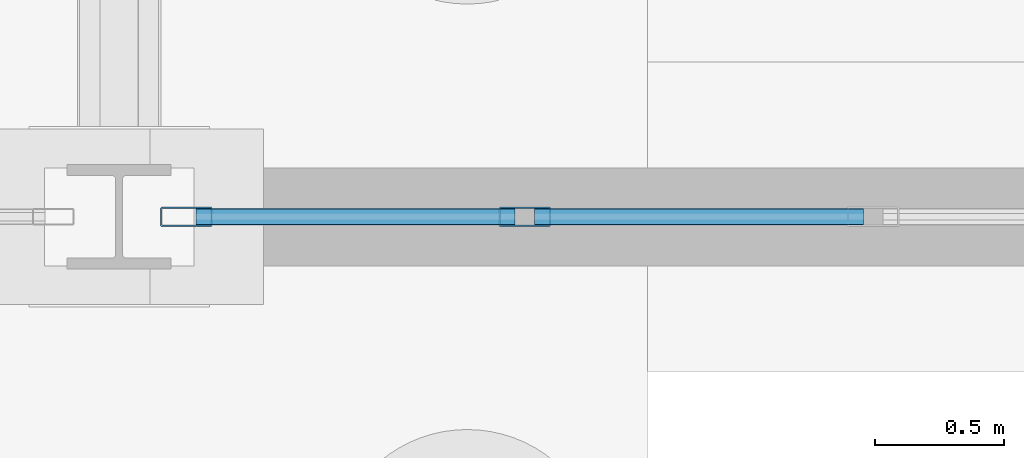
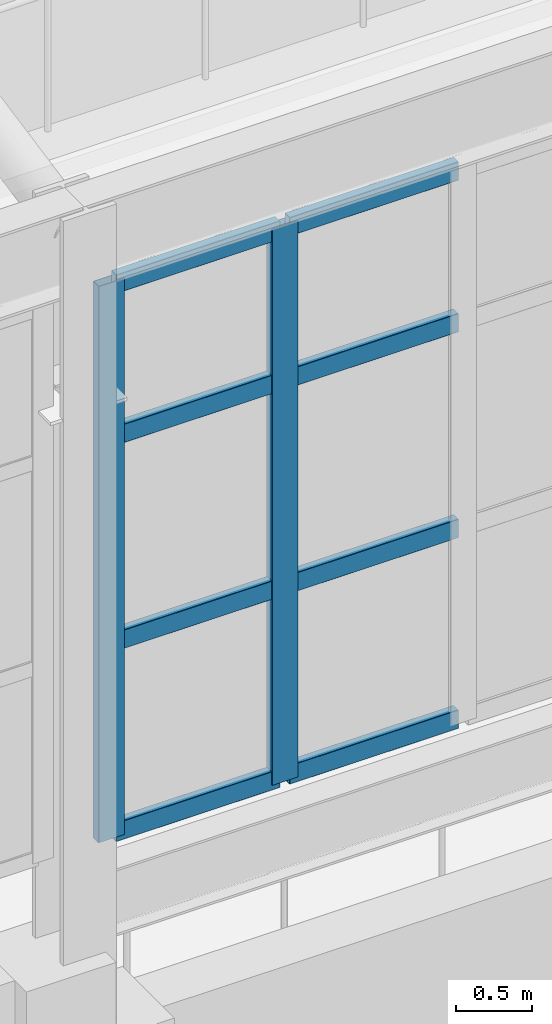
# One storey, part 133 of 293: 10 members, 1 element without a shape of its own.
"""IFC4 building model written with IfcOpenShell, lengths in metres."""

from ifc_helpers import new_model, si_unit, direction, frame, origin, origin_2d, place, context, subcontext, project, spatial, hollow_rectangle, extrude, material, layer, layer_set, material_profile, profile_set, type_object, element, aggregate, save


model = new_model("IFC4")

# Units and contexts
model_context = context("Model", 3, precision=1e-05, world=origin(), true_north=direction((0.0, 1.0)))
body_context = subcontext(model_context, "Body", "Model", "MODEL_VIEW")
ifc_project = project(units=[si_unit("LENGTHUNIT", "METRE"), si_unit("AREAUNIT", "SQUARE_METRE"), si_unit("VOLUMEUNIT", "CUBIC_METRE"), si_unit("PLANEANGLEUNIT", "RADIAN"), si_unit("MASSUNIT", "GRAM", prefix="KILO")], contexts=[model_context])

# Site, building, storey
site_placement = place(None, origin())
site = spatial("IfcSite", under=ifc_project, at=site_placement, CompositionType="ELEMENT")
building_placement = place(site_placement, origin())
building = spatial("IfcBuilding", under=site, at=building_placement, Name="Kemerveld Promenade Tramway Depot", CompositionType="ELEMENT")
storey_placement = place(building_placement, origin())
storey = spatial("IfcBuildingStorey", under=building, at=storey_placement, Name="L00", CompositionType="ELEMENT", Elevation=0.0)

# Curtain wall, members
ifc_material_1 = material(Name="Bronze anodised aluminium and solar glass", Category="aluminium")
ifc_layer = layer(ifc_material_1, 0.199951171875)
ifc_layer_set = layer_set([ifc_layer], Name="CW-SYS-14")
curtain_wall_type = type_object("IfcCurtainWallType", Name="CW-SYS-14", PredefinedType="USERDEFINED", material=ifc_layer_set)
curtain_wall_placement = place(storey_placement, origin())
curtain_wall = element("IfcCurtainWall", 1, at=curtain_wall_placement, inside=storey, type_object=curtain_wall_type, Name="CW-V1-S-11", ObjectType="GLAZED_CURTAIN_WALL", PredefinedType="USERDEFINED")
ifc_material_2 = material(Name="Bronze anodised aluminium", Category="aluminium")
ifc_material_profile_1 = material_profile(ifc_material_2, hollow_rectangle(XDim=0.074951171875, YDim=0.199951171875, WallThickness=0.0048828125, InnerFilletRadius=0.001953125, OuterFilletRadius=0.0048828125, at=origin_2d()), Name="CW-MUL-200x75")
ifc_profile_set_1 = profile_set([ifc_material_profile_1], Name="Bronze anodised aluminium")
member_type_1 = type_object("IfcMemberType", Name="CW-MUL-B", PredefinedType="MULLION", material=ifc_profile_set_1)
member_1_placement = place(storey_placement, frame((109.573974609375, 84.0, 6.199951171875), z_axis=(0.0, 0.0, 1.0), x_axis=(0.0, -1.0, 0.0)))
member_1 = element("IfcMember", 2, at=member_1_placement, type_object=member_type_1, Name="CW14 mullion 5", PredefinedType="MULLION", context=body_context, shape_type="SweptSolid", body=[
    extrude(hollow_rectangle(XDim=0.074951171875, YDim=0.199951171875, WallThickness=0.0048828125, InnerFilletRadius=0.001953125, OuterFilletRadius=0.0048828125, at=origin_2d()), origin(), (0.0, 0.0, 1.0), 4.449951171875),
])
member_2_placement = place(storey_placement, frame((108.2607421875, 84.0, 6.199951171875), z_axis=(0.0, 0.0, 1.0), x_axis=(0.0, -1.0, 0.0)))
member_2 = element("IfcMember", 3, at=member_2_placement, type_object=member_type_1, Name="CW14 mullion 6", PredefinedType="MULLION", context=body_context, shape_type="SweptSolid", body=[
    extrude(hollow_rectangle(XDim=0.074951171875, YDim=0.199951171875, WallThickness=0.0048828125, InnerFilletRadius=0.001953125, OuterFilletRadius=0.0048828125, at=origin_2d()), origin(), (0.0, 0.0, 1.0), 4.449951171875),
])
ifc_material_profile_2 = material_profile(ifc_material_2, hollow_rectangle(XDim=0.06494140625, YDim=0.14990234375, WallThickness=0.00439453125, InnerFilletRadius=0.001953125, OuterFilletRadius=0.00439453125, at=origin_2d()), Name="CW-TRN-150x65")
ifc_profile_set_2 = profile_set([ifc_material_profile_2], Name="Bronze anodised aluminium")
member_type_2 = type_object("IfcMemberType", Name="CW-TRN-B", PredefinedType="USERDEFINED", material=ifc_profile_set_2)
member_3_placement = place(storey_placement, frame((110.88720703125, 84.0, 6.232421875), z_axis=(-1.0, 0.0, 0.0), x_axis=(0.0, -1.0, 0.0)))
member_3 = element("IfcMember", 4, at=member_3_placement, type_object=member_type_2, Name="CW14 transom 4.1", ObjectType="TRANSOM", PredefinedType="USERDEFINED", context=body_context, shape_type="SweptSolid", body=[
    extrude(hollow_rectangle(XDim=0.06494140625, YDim=0.14990234375, WallThickness=0.00439453125, InnerFilletRadius=0.001953125, OuterFilletRadius=0.00439453125, at=origin_2d()), origin(), (0.0, 0.0, 1.0), 1.27587890625),
])
member_4_placement = place(storey_placement, frame((110.88720703125, 84.0, 7.758056640625), z_axis=(-1.0, 0.0, 0.0), x_axis=(0.0, -1.0, 0.0)))
member_4 = element("IfcMember", 5, at=member_4_placement, type_object=member_type_2, Name="CW14 transom 4.2", ObjectType="TRANSOM", PredefinedType="USERDEFINED", context=body_context, shape_type="SweptSolid", body=[
    extrude(hollow_rectangle(XDim=0.06494140625, YDim=0.14990234375, WallThickness=0.00439453125, InnerFilletRadius=0.001953125, OuterFilletRadius=0.00439453125, at=origin_2d()), origin(), (0.0, 0.0, 1.0), 1.27587890625),
])
member_5_placement = place(storey_placement, frame((110.88720703125, 84.0, 9.404052734375), z_axis=(-1.0, 0.0, 0.0), x_axis=(0.0, -1.0, 0.0)))
member_5 = element("IfcMember", 6, at=member_5_placement, type_object=member_type_2, Name="CW14 transom 4.3", ObjectType="TRANSOM", PredefinedType="USERDEFINED", context=body_context, shape_type="SweptSolid", body=[
    extrude(hollow_rectangle(XDim=0.06494140625, YDim=0.14990234375, WallThickness=0.00439453125, InnerFilletRadius=0.001953125, OuterFilletRadius=0.00439453125, at=origin_2d()), origin(), (0.0, 0.0, 1.0), 1.27587890625),
])
member_6_placement = place(storey_placement, frame((110.88720703125, 84.0, 10.617431640625), z_axis=(-1.0, 0.0, 0.0), x_axis=(0.0, -1.0, 0.0)))
member_6 = element("IfcMember", 7, at=member_6_placement, type_object=member_type_2, Name="CW14 transom 4.4", ObjectType="TRANSOM", PredefinedType="USERDEFINED", context=body_context, shape_type="SweptSolid", body=[
    extrude(hollow_rectangle(XDim=0.06494140625, YDim=0.14990234375, WallThickness=0.00439453125, InnerFilletRadius=0.001953125, OuterFilletRadius=0.00439453125, at=origin_2d()), origin(), (0.0, 0.0, 1.0), 1.27587890625),
])
member_7_placement = place(storey_placement, frame((109.536376953125, 84.0, 6.232421875), z_axis=(-1.0, 0.0, 0.0), x_axis=(0.0, -1.0, 0.0)))
member_7 = element("IfcMember", 8, at=member_7_placement, type_object=member_type_2, Name="CW14 transom 5.1", ObjectType="TRANSOM", PredefinedType="USERDEFINED", context=body_context, shape_type="SweptSolid", body=[
    extrude(hollow_rectangle(XDim=0.06494140625, YDim=0.14990234375, WallThickness=0.00439453125, InnerFilletRadius=0.001953125, OuterFilletRadius=0.00439453125, at=origin_2d()), origin(), (0.0, 0.0, 1.0), 1.23828125),
])
member_8_placement = place(storey_placement, frame((109.536376953125, 84.0, 7.758056640625), z_axis=(-1.0, 0.0, 0.0), x_axis=(0.0, -1.0, 0.0)))
member_8 = element("IfcMember", 9, at=member_8_placement, type_object=member_type_2, Name="CW14 transom 5.2", ObjectType="TRANSOM", PredefinedType="USERDEFINED", context=body_context, shape_type="SweptSolid", body=[
    extrude(hollow_rectangle(XDim=0.06494140625, YDim=0.14990234375, WallThickness=0.00439453125, InnerFilletRadius=0.001953125, OuterFilletRadius=0.00439453125, at=origin_2d()), origin(), (0.0, 0.0, 1.0), 1.23828125),
])
member_9_placement = place(storey_placement, frame((109.536376953125, 84.0, 9.404052734375), z_axis=(-1.0, 0.0, 0.0), x_axis=(0.0, -1.0, 0.0)))
member_9 = element("IfcMember", 10, at=member_9_placement, type_object=member_type_2, Name="CW14 transom 5.3", ObjectType="TRANSOM", PredefinedType="USERDEFINED", context=body_context, shape_type="SweptSolid", body=[
    extrude(hollow_rectangle(XDim=0.06494140625, YDim=0.14990234375, WallThickness=0.00439453125, InnerFilletRadius=0.001953125, OuterFilletRadius=0.00439453125, at=origin_2d()), origin(), (0.0, 0.0, 1.0), 1.23828125),
])
member_10_placement = place(storey_placement, frame((109.536376953125, 84.0, 10.617431640625), z_axis=(-1.0, 0.0, 0.0), x_axis=(0.0, -1.0, 0.0)))
member_10 = element("IfcMember", 11, at=member_10_placement, type_object=member_type_2, Name="CW14 transom 5.4", ObjectType="TRANSOM", PredefinedType="USERDEFINED", context=body_context, shape_type="SweptSolid", body=[
    extrude(hollow_rectangle(XDim=0.06494140625, YDim=0.14990234375, WallThickness=0.00439453125, InnerFilletRadius=0.001953125, OuterFilletRadius=0.00439453125, at=origin_2d()), origin(), (0.0, 0.0, 1.0), 1.23828125),
])
aggregate(curtain_wall, [member_1, member_2, member_3, member_4, member_5, member_6, member_7, member_8, member_9, member_10])

save(model, "model.ifc")
